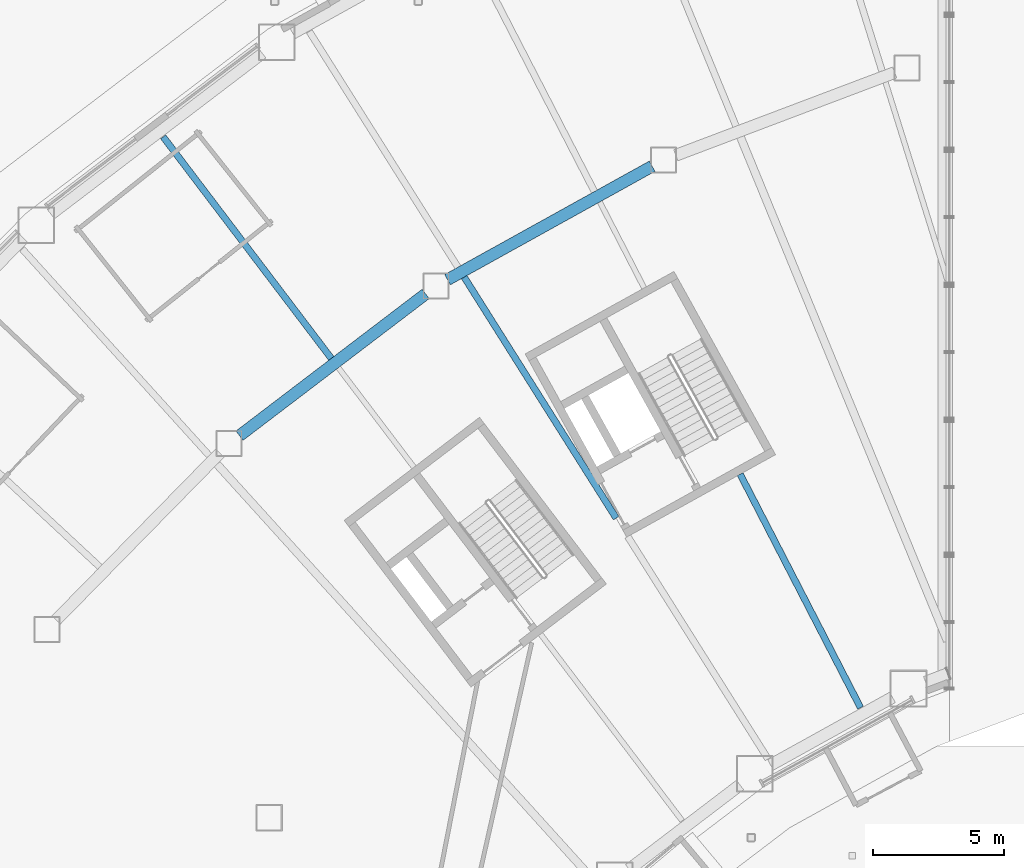
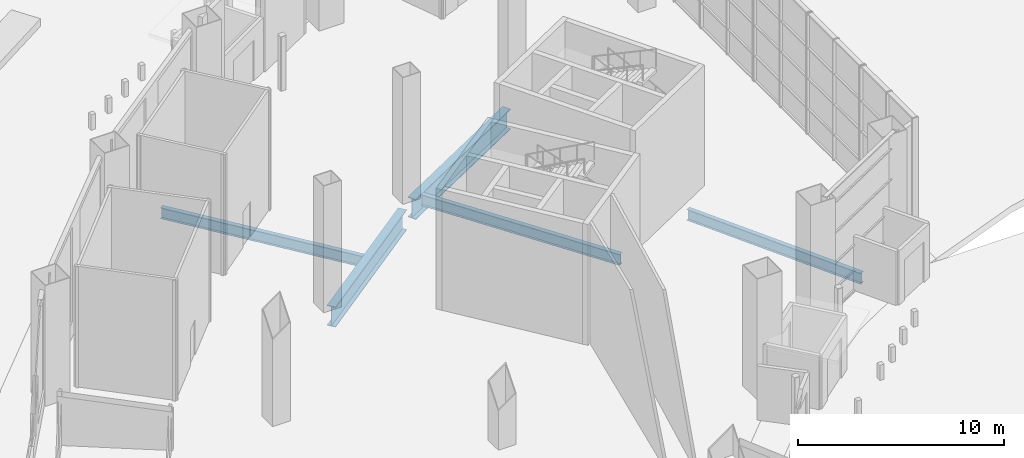
# One storey, part 13 of 45: 5 beams.
"""IFC4 building model written with IfcOpenShell, lengths in metres."""

from ifc_helpers import new_model, si_unit, direction, frame, origin, origin_2d, place, context, subcontext, project, spatial, i_section, extrude, material, material_profile, profile_set, type_object, element, save


model = new_model("IFC4")

# Units and contexts
model_context = context("Model", 3, precision=1e-05, world=origin(), true_north=direction((0.0, 1.0)))
body_context = subcontext(model_context, "Body", "Model", "MODEL_VIEW")
ifc_project = project(units=[si_unit("LENGTHUNIT", "METRE"), si_unit("AREAUNIT", "SQUARE_METRE"), si_unit("VOLUMEUNIT", "CUBIC_METRE"), si_unit("PLANEANGLEUNIT", "RADIAN"), si_unit("MASSUNIT", "GRAM", prefix="KILO")], contexts=[model_context])

# Site, building, storey
site_placement = place(None, origin())
site = spatial("IfcSite", under=ifc_project, at=site_placement, CompositionType="ELEMENT")
building_placement = place(site_placement, origin())
building = spatial("IfcBuilding", under=site, at=building_placement, Name="Tuul Gate Civic Tower", CompositionType="ELEMENT")
storey_placement = place(building_placement, origin())
storey = spatial("IfcBuildingStorey", under=building, at=storey_placement, Name="Level 00", CompositionType="ELEMENT", Elevation=0.0)

# Beams
ifc_material_1 = material(Name="Steel S355", Category="steel")
ifc_material_profile_1 = material_profile(ifc_material_1, i_section(OverallWidth=0.25, OverallDepth=0.64990234375, WebThickness=0.011962890625, FlangeThickness=0.02001953125, at=origin_2d()), Name="PG650x250x12x20")
ifc_profile_set_1 = profile_set([ifc_material_profile_1], Name="Steel S355")
beam_type_1 = type_object("IfcBeamType", Name="STR-FLOOR BEAM-PG650x250x12x20", PredefinedType="BEAM", material=ifc_profile_set_1)
beam_1_placement = place(storey_placement, frame((-21.390380859375, -18.512939453125, -0.72509765625), z_axis=(-0.458274716769, 0.88881060073, 0.0), x_axis=(-0.88881060073, -0.458274716769, 0.0)))
element("IfcBeam", 1, at=beam_1_placement, inside=storey, type_object=beam_type_1, Name="Floor beam", PredefinedType="BEAM", context=body_context, shape_type="SweptSolid", body=[
    extrude(i_section(OverallWidth=0.25, OverallDepth=0.64990234375, WebThickness=0.011962890625, FlangeThickness=0.02001953125, at=origin_2d()), origin(), (0.0, 0.0, 1.0), 10.03369140625),
])
beam_2_placement = place(storey_placement, frame((-30.72509765625, -11.2744140625, -0.72509765625), z_axis=(-0.533383609524, 0.845873468724, 0.0), x_axis=(-0.845873468724, -0.533383609524, 0.0)))
element("IfcBeam", 2, at=beam_2_placement, inside=storey, type_object=beam_type_1, Name="Floor beam", PredefinedType="BEAM", context=body_context, shape_type="SweptSolid", body=[
    extrude(i_section(OverallWidth=0.25, OverallDepth=0.64990234375, WebThickness=0.011962890625, FlangeThickness=0.02001953125, at=origin_2d()), origin(), (0.0, 0.0, 1.0), 10.885498046875),
])
beam_3_placement = place(storey_placement, frame((-41.608642578125, -5.169921875, -0.72509765625), z_axis=(-0.604505162529, 0.796601222995, 0.0), x_axis=(-0.796601222995, -0.604505162529, 0.0)))
element("IfcBeam", 3, at=beam_3_placement, inside=storey, type_object=beam_type_1, Name="Floor beam", PredefinedType="BEAM", context=body_context, shape_type="SweptSolid", body=[
    extrude(i_section(OverallWidth=0.25, OverallDepth=0.64990234375, WebThickness=0.011962890625, FlangeThickness=0.02001953125, at=origin_2d()), origin(), (0.0, 0.0, 1.0), 10.625),
])
ifc_material_2 = material(Name="Steel S355", Category="steel")
ifc_material_profile_2 = material_profile(ifc_material_2, i_section(OverallWidth=0.449951171875, OverallDepth=1.199951171875, WebThickness=0.02001953125, FlangeThickness=0.0400390625, at=origin_2d()), Name="PG1200x450x20x40")
ifc_profile_set_2 = profile_set([ifc_material_profile_2], Name="Steel S355")
beam_type_2 = type_object("IfcBeamType", Name="STR-RING BEAM-PG1200x450x20x40", PredefinedType="BEAM", material=ifc_profile_set_2)
beam_4_placement = place(storey_placement, frame((-45.1162109375, -8.12353515625, -1.0), z_axis=(0.795619775117, 0.605796313494, 0.0), x_axis=(-0.605796313494, 0.795619775117, 0.0)))
element("IfcBeam", 4, at=beam_4_placement, inside=storey, type_object=beam_type_2, Name="Ring girder", PredefinedType="BEAM", context=body_context, shape_type="SweptSolid", body=[
    extrude(i_section(OverallWidth=0.449951171875, OverallDepth=1.199951171875, WebThickness=0.02001953125, FlangeThickness=0.0400390625, at=origin_2d()), origin(), (0.0, 0.0, 1.0), 8.938720703125),
])
beam_5_placement = place(storey_placement, frame((-37.16943359375, -2.163330078125, -1.0), z_axis=(0.874603942318, 0.484838059646, 0.0), x_axis=(-0.484838059646, 0.874603942318, 0.0)))
element("IfcBeam", 5, at=beam_5_placement, inside=storey, type_object=beam_type_2, Name="Ring girder", PredefinedType="BEAM", context=body_context, shape_type="SweptSolid", body=[
    extrude(i_section(OverallWidth=0.449951171875, OverallDepth=1.199951171875, WebThickness=0.02001953125, FlangeThickness=0.0400390625, at=origin_2d()), origin(), (0.0, 0.0, 1.0), 8.93896484375),
])

save(model, "model.ifc")
